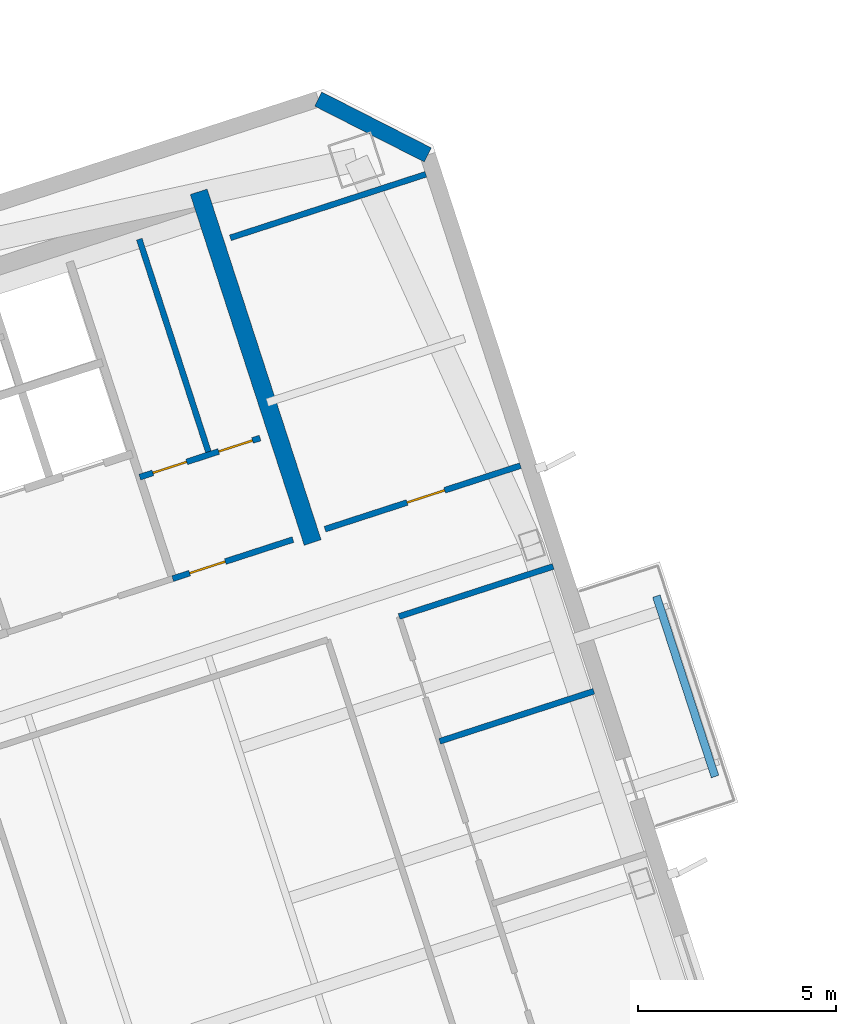
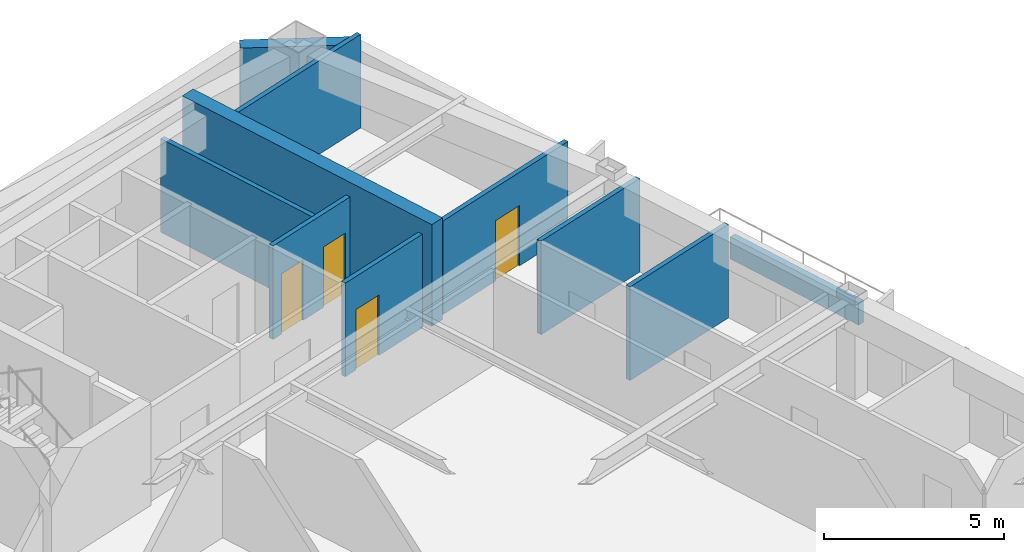
# One storey, part 10 of 17: 10 walls, 4 doors, 4 openings.
"""IFC4 building model written with IfcOpenShell, lengths in metres."""

import ifcopenshell
import ifcopenshell.guid

model = None  # the IFC model being written
_history = None  # IfcOwnerHistory: only IFC2X3 demands one
_inside = {}  # id of a spatial element -> (the spatial element, [elements in it])
_under = {}  # id of a project, library or spatial element -> (it, [spatial elements below it])
_declared = {}  # id of a project -> (the project, [libraries it declares])
_typed = {}  # id of a type object -> (the type object, [elements of that type])
_made_of = {}  # id of a material, layer set ... -> (it, [elements and type objects made of it])


def new_model(schema):
    """Start an empty IFC model of exactly this schema.

    Asked for "IFC4X3", IfcOpenShell would pick the latest addendum, in which some entities
    have other attributes; the version numbers below select the first issue.
    IFC2X3 requires an IfcOwnerHistory on every rooted entity: one is made here for all.
    """
    global model, _history
    if schema == "IFC4X3":
        model = ifcopenshell.file(schema_version=(4, 3, 0, 0))
    else:
        model = ifcopenshell.file(schema=schema)
    _inside.clear()
    _under.clear()
    _declared.clear()
    _typed.clear()
    _made_of.clear()
    _history = None
    if model.schema == "IFC2X3":
        org = make("IfcOrganization", Name="unknown")
        user = make(
            "IfcPersonAndOrganization",
            ThePerson=make("IfcPerson", FamilyName="unknown"),
            TheOrganization=org,
        )
        app = make(
            "IfcApplication",
            ApplicationDeveloper=org,
            Version="unknown",
            ApplicationFullName="unknown",
            ApplicationIdentifier="unknown",
        )
        _history = make(
            "IfcOwnerHistory",
            OwningUser=user,
            OwningApplication=app,
            ChangeAction="ADDED",
            CreationDate=0,
        )
    return model


def make(cls, **values):
    """One entity of the class cls with the attributes given. An attribute that is None is left unset."""
    return model.create_entity(
        cls, **{name: value for name, value in values.items() if value is not None}
    )


def rooted(cls, **values):
    """An entity with a GlobalId (a new one), such as an element, a storey or a relation."""
    return make(cls, GlobalId=ifcopenshell.guid.new(), OwnerHistory=_history, **values)


def si_unit(unit_type, name, prefix=None):
    """IfcSIUnit, for example si_unit("LENGTHUNIT", "METRE", prefix="MILLI")."""
    return make("IfcSIUnit", UnitType=unit_type, Prefix=prefix, Name=name)


def assignment(units):
    """IfcUnitAssignment: the units of a project."""
    return None if units is None else make("IfcUnitAssignment", Units=units)


def point(xyz):
    """IfcCartesianPoint."""
    return None if xyz is None else make("IfcCartesianPoint", Coordinates=xyz)


def direction(xyz):
    """IfcDirection."""
    return None if xyz is None else make("IfcDirection", DirectionRatios=xyz)


def frame(location, z_axis=None, x_axis=None):
    """IfcAxis2Placement3D, a coordinate frame: its origin and axes. An axis left out is left unset."""
    return make(
        "IfcAxis2Placement3D",
        Location=point(location),
        Axis=direction(z_axis),
        RefDirection=direction(x_axis),
    )


def frame_2d(location, x_axis=None):
    """IfcAxis2Placement2D, a coordinate frame in the plane: its origin and x axis."""
    return make(
        "IfcAxis2Placement2D", Location=point(location), RefDirection=direction(x_axis)
    )


def origin():
    """The frame at (0, 0, 0) with its axes left unset."""
    return frame((0.0, 0.0, 0.0))


def place(relative_to, where):
    """IfcLocalPlacement: puts the frame where relative to a parent placement (None: the world)."""
    return make(
        "IfcLocalPlacement", PlacementRelTo=relative_to, RelativePlacement=where
    )


def context(
    kind, dimensions, precision=None, world=None, true_north=None, identifier=None
):
    """IfcGeometricRepresentationContext, for example the 3D "Model" context."""
    return make(
        "IfcGeometricRepresentationContext",
        ContextIdentifier=identifier,
        ContextType=kind,
        CoordinateSpaceDimension=dimensions,
        Precision=precision,
        WorldCoordinateSystem=world,
        TrueNorth=true_north,
    )


def subcontext(parent, identifier, kind, view, scale=None):
    """IfcGeometricRepresentationSubContext, for example "Body" below "Model"."""
    return make(
        "IfcGeometricRepresentationSubContext",
        ContextIdentifier=identifier,
        ContextType=kind,
        ParentContext=parent,
        TargetScale=scale,
        TargetView=view,
    )


def project(units=None, contexts=None):
    """IfcProject with its units and contexts."""
    return rooted(
        "IfcProject",
        Name="project",
        RepresentationContexts=contexts,
        UnitsInContext=assignment(units),
    )


def spatial(cls, under=None, at=None, **own):
    """A site, building, storey or space (cls), placed at a placement, below another one or the project."""
    s = rooted(cls, ObjectPlacement=at, **own)
    if under is not None:
        _under.setdefault(under.id(), (under, []))[1].append(s)
    return s


def profile(cls, at=None, kind="AREA", **sizes):
    """A parametric profile (cls). Its sizes go by their IFC names, for example OverallWidth=200.0."""
    return make(cls, ProfileType=kind, Position=at, **sizes)


def rectangle(**sizes):
    """IfcRectangleProfileDef."""
    return profile("IfcRectangleProfileDef", **sizes)


def extrude(swept, where, along, depth):
    """IfcExtrudedAreaSolid: the profile swept, set in the frame where, extruded along a direction by depth."""
    return make(
        "IfcExtrudedAreaSolid",
        SweptArea=swept,
        Position=where,
        ExtrudedDirection=direction(along),
        Depth=depth,
    )


def shape(context_of_items, identifier, shape_type, items):
    """IfcShapeRepresentation: the items that make up one representation, for example the "Body"."""
    return make(
        "IfcShapeRepresentation",
        ContextOfItems=context_of_items,
        RepresentationIdentifier=identifier,
        RepresentationType=shape_type,
        Items=items,
    )


def material(Name=None, Category=None):
    """IfcMaterial."""
    return make("IfcMaterial", Name=Name, Category=Category)


def layer(
    of_material, thickness, ventilated=None, Name=None, Category=None, Priority=None
):
    """IfcMaterialLayer: one layer of a wall or slab, of a material (None: an air gap)."""
    return make(
        "IfcMaterialLayer",
        Material=of_material,
        LayerThickness=thickness,
        IsVentilated=ventilated,
        Name=Name,
        Category=Category,
        Priority=Priority,
    )


def layer_set(layers, Name=None):
    """IfcMaterialLayerSet."""
    return make("IfcMaterialLayerSet", MaterialLayers=layers, LayerSetName=Name)


def made_of(thing, what):
    """Note that an element or type object is made of a material, layer set ...; save() writes the relation."""
    if what is not None:
        _made_of.setdefault(what.id(), (what, []))[1].append(thing)
    return thing


def type_object(cls, material=None, **own):
    """A type object (cls), such as IfcWallType, which elements share."""
    return made_of(rooted(cls, **own), material)


def element(
    cls,
    number,
    at=None,
    inside=None,
    cuts=None,
    type_object=None,
    material=None,
    context=None,
    identifier="Body",
    shape_type=None,
    held_by="IfcProductDefinitionShape",
    body=None,
    shapes=None,
    **own,
):
    """One element of the class cls, such as IfcWall. Its Tag is "e" and its number.

    at: its placement. inside: the storey or other place that contains it. cuts: it is an
    opening in that element (IfcRelVoidsElement). A single representation is given by context,
    identifier, shape_type and body (its items); several are given by shapes. held_by: the class
    of the entity that holds the representations. save() writes the other relations.
    """
    e = rooted(cls, Tag="e%d" % number, ObjectPlacement=at, **own)
    if body is not None:
        shapes = [shape(context, identifier, shape_type, body)]
    if shapes is not None:
        e.Representation = make(held_by, Representations=shapes)
    if inside is not None:
        _inside.setdefault(inside.id(), (inside, []))[1].append(e)
    if cuts is not None:
        rooted(
            "IfcRelVoidsElement", RelatingBuildingElement=cuts, RelatedOpeningElement=e
        )
    if type_object is not None:
        _typed.setdefault(type_object.id(), (type_object, []))[1].append(e)
    return made_of(e, material)


def fill(opening, filler):
    """IfcRelFillsElement: the door or window that sits in an opening."""
    return rooted(
        "IfcRelFillsElement",
        RelatingOpeningElement=opening,
        RelatedBuildingElement=filler,
    )


def aggregate(whole, parts):
    """IfcRelAggregates: a whole, such as a stair, and the parts it consists of."""
    return rooted("IfcRelAggregates", RelatingObject=whole, RelatedObjects=parts)


def save(model, path):
    """Write the relations noted so far, then the file.

    IfcRelAggregates (storeys below a building ...), IfcRelContainedInSpatialStructure (elements
    in a storey), IfcRelDefinesByType, IfcRelAssociatesMaterial and IfcRelDeclares: one each for
    every whole, place, type object, material and project.
    """
    for whole, parts in _under.values():
        aggregate(whole, parts)
    for where, things in _inside.values():
        rooted(
            "IfcRelContainedInSpatialStructure",
            RelatedElements=things,
            RelatingStructure=where,
        )
    for kind, things in _typed.values():
        rooted("IfcRelDefinesByType", RelatedObjects=things, RelatingType=kind)
    for what, things in _made_of.values():
        rooted("IfcRelAssociatesMaterial", RelatedObjects=things, RelatingMaterial=what)
    for by, libraries in _declared.values():
        rooted("IfcRelDeclares", RelatingContext=by, RelatedDefinitions=libraries)
    model.write(path)


model = new_model("IFC4")

# Units and contexts
model_context = context("Model", 3, precision=1e-05, world=origin(), true_north=direction((0.0, 1.0)))
body_context = subcontext(model_context, "Body", "Model", "MODEL_VIEW")
ifc_project = project(units=[si_unit("LENGTHUNIT", "METRE"), si_unit("AREAUNIT", "SQUARE_METRE"), si_unit("VOLUMEUNIT", "CUBIC_METRE"), si_unit("PLANEANGLEUNIT", "RADIAN"), si_unit("MASSUNIT", "GRAM", prefix="KILO")], contexts=[model_context])

# Site, building, storey
site_placement = place(None, origin())
site = spatial("IfcSite", under=ifc_project, at=site_placement, CompositionType="ELEMENT")
building_placement = place(site_placement, origin())
building = spatial("IfcBuilding", under=site, at=building_placement, Name="Qiaolan Cultural Towers", CompositionType="ELEMENT")
storey_placement = place(building_placement, frame((0.0, 0.0, 205.85009765625)))
storey = spatial("IfcBuildingStorey", under=building, at=storey_placement, Name="L55", CompositionType="ELEMENT", Elevation=205.85009765625)

# Walls
ifc_material_1 = material(Name="Concrete C50", Category="concrete")
ifc_layer_1 = layer(ifc_material_1, 0.449951171875)
ifc_layer_set_1 = layer_set([ifc_layer_1], Name="Concrete C50")
wall_type_1 = type_object("IfcWallType", Name="WL-CORE-450", PredefinedType="SHEAR", material=ifc_layer_set_1)
wall_1_placement = place(storey_placement, frame((94.468994140625, 46.781494140625, 0.0), z_axis=(0.0, 0.0, 1.0), x_axis=(-0.309004419953, 0.951060601881, 0.0)))
element("IfcWall", 1, at=wall_1_placement, inside=storey, type_object=wall_type_1, Name="L55 T2-CN East Core Shear Wall", PredefinedType="SHEAR", context=body_context, shape_type="SweptSolid", body=[
    extrude(rectangle(XDim=9.330078125, YDim=0.449951171875, at=frame_2d((4.6650390625, 0.0))), origin(), (0.0, 0.0, 1.0), 3.449951171875),
])
ifc_material_2 = material(Name="Precast Concrete C50 Honed Stone Pier", Category="masonry")
ifc_layer_2 = layer(ifc_material_2, 0.39990234375)
ifc_layer_set_2 = layer_set([ifc_layer_2], Name="Precast Concrete C50 Honed Stone Pier")
wall_type_2 = type_object("IfcWallType", Name="WL-EXT-PIER-400", PredefinedType="SOLIDWALL", material=ifc_layer_set_2)
wall_2_placement = place(storey_placement, frame((94.609619140625, 57.9990234375, 0.0), z_axis=(0.0, 0.0, 1.0), x_axis=(0.890979603174, -0.454043331334, 0.0)))
element("IfcWall", 2, at=wall_2_placement, inside=storey, type_object=wall_type_2, Name="L55 East Tower Precast Pier Facade Wall F4", PredefinedType="SOLIDWALL", context=body_context, shape_type="SweptSolid", body=[
    extrude(rectangle(XDim=3.111083984375, YDim=0.39990234375, at=frame_2d((1.5556640625, 0.0))), origin(), (0.0, 0.0, 1.0), 2.60986328125),
])

# Wall, opening, door
ifc_material_3 = material(Name="Autoclaved Aerated Concrete Block B06", Category="concrete")
ifc_layer_3 = layer(ifc_material_3, 0.14990234375)
ifc_layer_set_3 = layer_set([ifc_layer_3], Name="Autoclaved Aerated Concrete Block B06")
wall_type_3 = type_object("IfcWallType", Name="WL-PART-150", PredefinedType="PARTITIONING", material=ifc_layer_set_3)
wall_3_placement = place(storey_placement, frame((90.92822265625, 45.86767578125, 0.0), z_axis=(0.0, 0.0, 1.0), x_axis=(0.951059297078, 0.309008435874, 0.0)))
wall_3 = element("IfcWall", 3, at=wall_3_placement, inside=storey, type_object=wall_type_3, Name="L55 T2-CN Sanitary Core Front Wall", PredefinedType="PARTITIONING", context=body_context, shape_type="SweptSolid", body=[
    extrude(rectangle(XDim=3.19970703125, YDim=0.14990234375, at=frame_2d((1.599853515625, 0.0))), origin(), (0.0, 0.0, 1.0), 3.1748046875),
])
opening_1_placement = place(wall_3_placement, frame((0.449951171875, 0.0, 0.0)))
opening_1 = element("IfcOpeningElement", 4, at=opening_1_placement, cuts=wall_3, Name="Opening ID-05", PredefinedType="OPENING", context=body_context, shape_type="SweptSolid", body=[
    extrude(rectangle(XDim=0.949951171875, YDim=2.050048828125, at=frame_2d((0.47509765625, 1.02490234375))), frame((0.0, 0.0849609375, 0.0), z_axis=(0.0, -1.0, 0.0), x_axis=(1.0, 0.0, 0.0)), (0.0, 0.0, 1.0), 0.169921875),
])
ifc_material_4 = material(Name="Fire-Rated Laminate Accessible Core Door", Category="timber")
door_type_1 = type_object("IfcDoorType", Name="DR-INT-950", OperationType="NOTDEFINED", PredefinedType="DOOR", material=ifc_material_4)
door_1_placement = place(opening_1_placement, origin())
door_1 = element("IfcDoor", 5, at=door_1_placement, inside=storey, type_object=door_type_1, Name="L55 Sanitary Vestibule Door", OperationType="SINGLE_SWING_LEFT", OverallHeight=2.050048828125, OverallWidth=0.949951171875, PredefinedType="DOOR", context=body_context, shape_type="SweptSolid", body=[
    extrude(rectangle(XDim=0.949951171875, YDim=2.050048828125, at=frame_2d((0.47509765625, 1.02490234375))), frame((0.0, 0.02490234375, 0.0), z_axis=(0.0, -1.0, 0.0), x_axis=(1.0, 0.0, 0.0)), (0.0, 0.0, 1.0), 0.050048828125),
])
fill(opening_1, door_1)

# Wall, openings, doors
wall_4_placement = place(storey_placement, frame((90.09375, 48.435546875, 0.0), z_axis=(0.0, 0.0, 1.0), x_axis=(0.951066581729, 0.308986014439, 0.0)))
wall_4 = element("IfcWall", 6, at=wall_4_placement, inside=storey, type_object=wall_type_3, Name="L55 T2-CN Restroom Vestibule Wall", PredefinedType="PARTITIONING", context=body_context, shape_type="SweptSolid", body=[
    extrude(rectangle(XDim=3.199951171875, YDim=0.14990234375, at=frame_2d((1.60009765625, 0.0))), origin(), (0.0, 0.0, 1.0), 3.1748046875),
])
opening_2_placement = place(wall_4_placement, frame((0.35009765625, 0.0, 0.0)))
opening_2 = element("IfcOpeningElement", 7, at=opening_2_placement, cuts=wall_4, Name="Opening ID-06", PredefinedType="OPENING", context=body_context, shape_type="SweptSolid", body=[
    extrude(rectangle(XDim=0.89990234375, YDim=2.050048828125, at=frame_2d((0.449951171875, 1.02490234375))), frame((0.0, 0.0849609375, 0.0), z_axis=(0.0, -1.0, 0.0), x_axis=(1.0, 0.0, 0.0)), (0.0, 0.0, 1.0), 0.169921875),
])
opening_3_placement = place(wall_4_placement, frame((2.10009765625, 0.0, 0.0)))
opening_3 = element("IfcOpeningElement", 8, at=opening_3_placement, cuts=wall_4, Name="Opening ID-06", PredefinedType="OPENING", context=body_context, shape_type="SweptSolid", body=[
    extrude(rectangle(XDim=0.89990234375, YDim=2.050048828125, at=frame_2d((0.449951171875, 1.02490234375))), frame((0.0, 0.0849609375, 0.0), z_axis=(0.0, -1.0, 0.0), x_axis=(1.0, 0.0, 0.0)), (0.0, 0.0, 1.0), 0.169921875),
])
ifc_material_5 = material(Name="Fire-Rated Laminate Core Service Door", Category="timber")
door_type_2 = type_object("IfcDoorType", Name="DR-INT-900", OperationType="NOTDEFINED", PredefinedType="DOOR", material=ifc_material_5)
door_2_placement = place(opening_2_placement, origin())
door_2 = element("IfcDoor", 9, at=door_2_placement, inside=storey, type_object=door_type_2, Name="L55 Men Restroom Door", OperationType="SINGLE_SWING_LEFT", OverallHeight=2.050048828125, OverallWidth=0.89990234375, PredefinedType="DOOR", context=body_context, shape_type="SweptSolid", body=[
    extrude(rectangle(XDim=0.89990234375, YDim=2.050048828125, at=frame_2d((0.449951171875, 1.02490234375))), frame((0.0, 0.02490234375, 0.0), z_axis=(0.0, -1.0, 0.0), x_axis=(1.0, 0.0, 0.0)), (0.0, 0.0, 1.0), 0.050048828125),
])
fill(opening_2, door_2)
door_3_placement = place(opening_3_placement, origin())
door_3 = element("IfcDoor", 10, at=door_3_placement, inside=storey, type_object=door_type_2, Name="L55 Accessible & Women Restroom Door", OperationType="SINGLE_SWING_RIGHT", OverallHeight=2.050048828125, OverallWidth=0.89990234375, PredefinedType="DOOR", context=body_context, shape_type="SweptSolid", body=[
    extrude(rectangle(XDim=0.89990234375, YDim=2.050048828125, at=frame_2d((0.449951171875, 1.02490234375))), frame((0.0, 0.02490234375, 0.0), z_axis=(0.0, -1.0, 0.0), x_axis=(1.0, 0.0, 0.0)), (0.0, 0.0, 1.0), 0.050048828125),
])
fill(opening_3, door_3)

# Walls
wall_5_placement = place(storey_placement, frame((91.853271484375, 49.007080078125, 0.0), z_axis=(0.0, 0.0, 1.0), x_axis=(-0.309022487551, 0.951054731437, 0.0)))
element("IfcWall", 11, at=wall_5_placement, inside=storey, type_object=wall_type_3, Name="L55 T2-CN Restroom Divider Wall", PredefinedType="PARTITIONING", context=body_context, shape_type="SweptSolid", body=[
    extrude(rectangle(XDim=5.730224609375, YDim=0.14990234375, at=frame_2d((2.865234375, 0.0))), origin(), (0.0, 0.0, 1.0), 3.1748046875),
])
wall_6_placement = place(storey_placement, frame((92.385009765625, 54.48974609375, 0.0), z_axis=(0.0, 0.0, 1.0), x_axis=(0.951055112834, 0.309021313752, 0.0)))
element("IfcWall", 12, at=wall_6_placement, inside=storey, type_object=wall_type_3, Name="L55 T2 Flank Wall FLK-NE", PredefinedType="PARTITIONING", context=body_context, shape_type="SweptSolid", body=[
    extrude(rectangle(XDim=5.2001953125, YDim=0.14990234375, at=frame_2d((2.60009765625, 0.0))), origin(), (0.0, 0.0, 1.0), 3.1748046875),
])

# Wall, opening, door
wall_7_placement = place(storey_placement, frame((94.77978515625, 47.119140625, 0.0), z_axis=(0.0, 0.0, 1.0), x_axis=(0.951055112834, 0.309021313752, 0.0)))
wall_7 = element("IfcWall", 13, at=wall_7_placement, inside=storey, type_object=wall_type_3, Name="L55 T2 Flank Front FLK-NE", PredefinedType="PARTITIONING", context=body_context, shape_type="SweptSolid", body=[
    extrude(rectangle(XDim=5.2001953125, YDim=0.14990234375, at=frame_2d((2.60009765625, 0.0))), origin(), (0.0, 0.0, 1.0), 3.1748046875),
])
opening_4_placement = place(wall_7_placement, frame((2.18408203125, 0.0, 0.0)))
opening_4 = element("IfcOpeningElement", 14, at=opening_4_placement, cuts=wall_7, Name="Opening ID-04", PredefinedType="OPENING", context=body_context, shape_type="SweptSolid", body=[
    extrude(rectangle(XDim=1.0, YDim=2.050048828125, at=frame_2d((0.5, 1.02490234375))), frame((0.0, 0.0849609375, 0.0), z_axis=(0.0, -1.0, 0.0), x_axis=(1.0, 0.0, 0.0)), (0.0, 0.0, 1.0), 0.169921875),
])
ifc_material_6 = material(Name="Oak Veneer Acoustic Office Door", Category="timber")
door_type_3 = type_object("IfcDoorType", Name="DR-INT-1000", OperationType="NOTDEFINED", PredefinedType="DOOR", material=ifc_material_6)
door_4_placement = place(opening_4_placement, origin())
door_4 = element("IfcDoor", 15, at=door_4_placement, inside=storey, type_object=door_type_3, Name="L55 T2 Corner Studio Door", OperationType="SINGLE_SWING_LEFT", OverallHeight=2.050048828125, OverallWidth=1.0, PredefinedType="DOOR", context=body_context, shape_type="SweptSolid", body=[
    extrude(rectangle(XDim=1.0, YDim=2.050048828125, at=frame_2d((0.5, 1.02490234375))), frame((0.0, 0.02490234375, 0.0), z_axis=(0.0, -1.0, 0.0), x_axis=(1.0, 0.0, 0.0)), (0.0, 0.0, 1.0), 0.050048828125),
])
fill(opening_4, door_4)

# Walls
wall_8_placement = place(storey_placement, frame((96.654296875, 44.91015625, 0.0), z_axis=(0.0, 0.0, 1.0), x_axis=(0.951044133184, 0.309055103076, 0.0)))
element("IfcWall", 16, at=wall_8_placement, inside=storey, type_object=wall_type_3, Name="L55 T2 Interior Wall", PredefinedType="PARTITIONING", context=body_context, shape_type="SweptSolid", body=[
    extrude(rectangle(XDim=4.099853515625, YDim=0.14990234375, at=frame_2d((2.0498046875, 0.0))), origin(), (0.0, 0.0, 1.0), 3.1748046875),
])
wall_9_placement = place(storey_placement, frame((97.68017578125, 41.752685546875, 0.0), z_axis=(0.0, 0.0, 1.0), x_axis=(0.951049820449, 0.30903760131, 0.0)))
element("IfcWall", 17, at=wall_9_placement, inside=storey, type_object=wall_type_3, Name="L55 T2 Interior Wall", PredefinedType="PARTITIONING", context=body_context, shape_type="SweptSolid", body=[
    extrude(rectangle(XDim=4.10009765625, YDim=0.14990234375, at=frame_2d((2.050048828125, 0.0))), origin(), (0.0, 0.0, 1.0), 3.1748046875),
])
ifc_material_7 = material(Name="Precast Concrete C45 Tree Planter Upstand", Category="concrete")
ifc_layer_4 = layer(ifc_material_7, 0.199951171875)
ifc_layer_set_4 = layer_set([ifc_layer_4], Name="Precast Concrete C45 Tree Planter Upstand")
wall_type_4 = type_object("IfcWallType", Name="WL-PLANTER-200", PredefinedType="PARAPET", material=ifc_layer_set_4)
wall_10_placement = place(storey_placement, frame((104.646484375, 40.86181640625, 0.0), z_axis=(0.0, 0.0, 1.0), x_axis=(-0.309032019345, 0.951051634255, 0.0)))
element("IfcWall", 18, at=wall_10_placement, inside=storey, type_object=wall_type_4, Name="L55 T2 Tree Balcony Soil Planter Box E", PredefinedType="PARAPET", context=body_context, shape_type="SweptSolid", body=[
    extrude(rectangle(XDim=4.800048828125, YDim=0.199951171875, at=frame_2d((2.39990234375, 0.0))), origin(), (0.0, 0.0, 1.0), 0.75),
])

save(model, "model.ifc")
